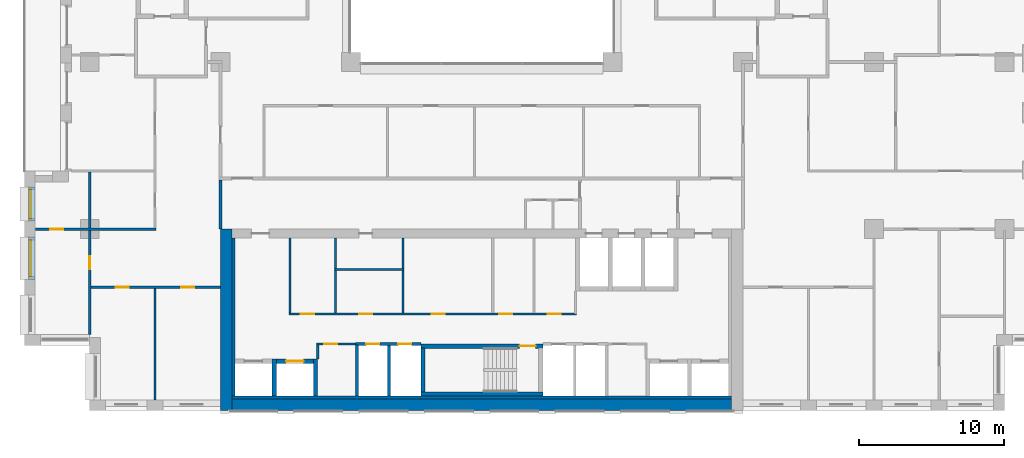
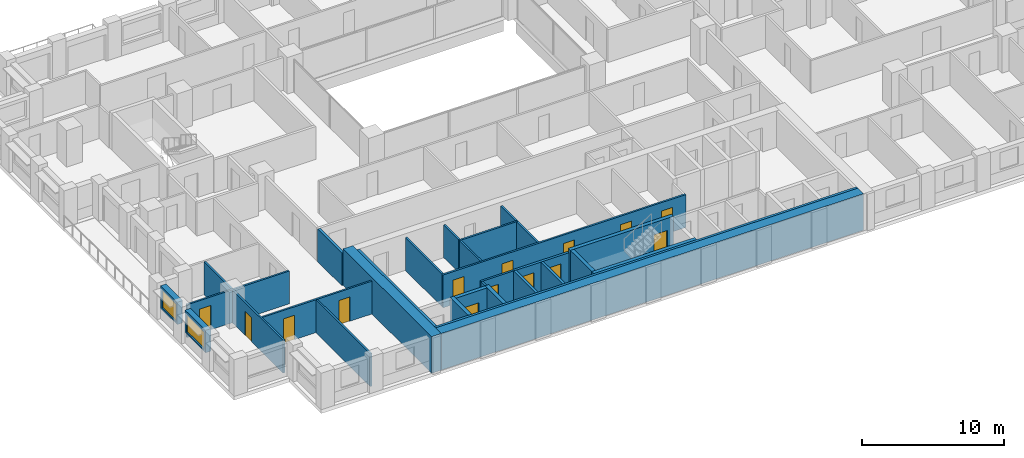
# One storey, part 8 of 16: 30 walls, 14 doors, 2 windows, 16 openings.
"""IFC4 building model written with IfcOpenShell, lengths in metres."""

from ifc_helpers import new_model, si_unit, direction, frame, frame_2d, origin, place, context, subcontext, project, spatial, rectangle, extrude, material, layer, layer_set, type_object, element, fill, save


model = new_model("IFC4")

# Units and contexts
model_context = context("Model", 3, precision=1e-05, world=origin(), true_north=direction((0.0, 1.0)))
body_context = subcontext(model_context, "Body", "Model", "MODEL_VIEW")
ifc_project = project(units=[si_unit("LENGTHUNIT", "METRE"), si_unit("AREAUNIT", "SQUARE_METRE"), si_unit("VOLUMEUNIT", "CUBIC_METRE"), si_unit("PLANEANGLEUNIT", "RADIAN"), si_unit("MASSUNIT", "GRAM", prefix="KILO")], contexts=[model_context])

# Site, building, storey
site_placement = place(None, origin())
site = spatial("IfcSite", under=ifc_project, at=site_placement, CompositionType="ELEMENT")
building_placement = place(site_placement, origin())
building = spatial("IfcBuilding", under=site, at=building_placement, Name="Brigalow Station Residences", CompositionType="ELEMENT")
storey_placement = place(building_placement, frame((0.0, 0.0, 115.050048828125)))
storey = spatial("IfcBuildingStorey", under=building, at=storey_placement, Name="L33", CompositionType="ELEMENT", Elevation=115.050048828125)

# Wall, opening, window
ifc_material_1 = material(Name="Clay brick masonry", Category="masonry")
ifc_layer_1 = layer(ifc_material_1, 0.449951171875)
ifc_layer_set_1 = layer_set([ifc_layer_1], Name="BRICK INFILL WALL 450")
wall_type_1 = type_object("IfcWallType", Name="BRICK INFILL WALL 450", PredefinedType="SOLIDWALL", material=ifc_layer_set_1)
wall_1_placement = place(storey_placement, frame((5.02490234375, 15.39990234375, 0.89990234375), z_axis=(0.0, 0.0, 1.0), x_axis=(0.0, -1.0, 0.0)))
wall_1 = element("IfcWall", 1, at=wall_1_placement, inside=storey, type_object=wall_type_1, Name="L33/ewall/W-L33-47", PredefinedType="SOLIDWALL", context=body_context, shape_type="SweptSolid", body=[
    extrude(rectangle(XDim=2.349853515625, YDim=0.449951171875, at=frame_2d((1.1748046875, 0.0))), origin(), (0.0, 0.0, 1.0), 1.929931640625),
])
opening_1_placement = place(wall_1_placement, frame((0.175048828125, 0.0, 0.14990234375)))
opening_1 = element("IfcOpeningElement", 2, at=opening_1_placement, cuts=wall_1, Name="Opening WT-7", PredefinedType="OPENING", context=body_context, shape_type="SweptSolid", body=[
    extrude(rectangle(XDim=2.0, YDim=1.5, at=frame_2d((1.0, 0.75))), frame((0.0, 0.23486328125, 0.0), z_axis=(0.0, -1.0, 0.0), x_axis=(1.0, 0.0, 0.0)), (0.0, 0.0, 1.0), 0.469970703125),
])
ifc_material_2 = material(Name="Anodised aluminium frame with double glazing", Category="aluminium")
window_type_1 = type_object("IfcWindowType", Name="WINDOW 2000x1500", PartitioningType="SINGLE_PANEL", PredefinedType="WINDOW", material=ifc_material_2)
window_1_placement = place(opening_1_placement, origin())
window_1 = element("IfcWindow", 3, at=window_1_placement, inside=storey, type_object=window_type_1, Name="L33/window/W-L33-47", OverallHeight=1.5, OverallWidth=2.0, PartitioningType="SINGLE_PANEL", PredefinedType="WINDOW", context=body_context, shape_type="SweptSolid", body=[
    extrude(rectangle(XDim=2.0, YDim=1.5, at=frame_2d((1.0, 0.75))), frame((0.0, -0.06494140625, 0.0), z_axis=(0.0, -1.0, 0.0), x_axis=(1.0, 0.0, 0.0)), (0.0, 0.0, 1.0), 0.06005859375),
])
fill(opening_1, window_1)

wall_2_placement = place(storey_placement, frame((5.02490234375, 11.949951171875, 0.89990234375), z_axis=(0.0, 0.0, 1.0), x_axis=(0.0, -1.0, 0.0)))
wall_2 = element("IfcWall", 4, at=wall_2_placement, inside=storey, type_object=wall_type_1, Name="L33/ewall/W-L33-48", PredefinedType="SOLIDWALL", context=body_context, shape_type="SweptSolid", body=[
    extrude(rectangle(XDim=2.89990234375, YDim=0.449951171875, at=frame_2d((1.449951171875, 0.0))), origin(), (0.0, 0.0, 1.0), 1.929931640625),
])
opening_2_placement = place(wall_2_placement, frame((0.199951171875, 0.0, 0.14990234375)))
opening_2 = element("IfcOpeningElement", 5, at=opening_2_placement, cuts=wall_2, Name="Opening WT-5", PredefinedType="OPENING", context=body_context, shape_type="SweptSolid", body=[
    extrude(rectangle(XDim=2.5, YDim=1.5, at=frame_2d((1.25, 0.75))), frame((0.0, 0.23486328125, 0.0), z_axis=(0.0, -1.0, 0.0), x_axis=(1.0, 0.0, 0.0)), (0.0, 0.0, 1.0), 0.469970703125),
])
ifc_material_3 = material(Name="Anodised aluminium frame with double glazing", Category="aluminium")
window_type_2 = type_object("IfcWindowType", Name="WINDOW 2500x1500", PartitioningType="SINGLE_PANEL", PredefinedType="WINDOW", material=ifc_material_3)
window_2_placement = place(opening_2_placement, origin())
window_2 = element("IfcWindow", 6, at=window_2_placement, inside=storey, type_object=window_type_2, Name="L33/window/W-L33-48", OverallHeight=1.5, OverallWidth=2.5, PartitioningType="SINGLE_PANEL", PredefinedType="WINDOW", context=body_context, shape_type="SweptSolid", body=[
    extrude(rectangle(XDim=2.5, YDim=1.5, at=frame_2d((1.25, 0.75))), frame((0.0, -0.06494140625, 0.0), z_axis=(0.0, -1.0, 0.0), x_axis=(1.0, 0.0, 0.0)), (0.0, 0.0, 1.0), 0.06005859375),
])
fill(opening_2, window_2)

# Walls
ifc_material_4 = material(Name="Concrete C65", Category="concrete")
ifc_layer_2 = layer(ifc_material_4, 0.199951171875)
ifc_layer_set_2 = layer_set([ifc_layer_2], Name="CORE SHEAR WALL 200 C65")
wall_type_2 = type_object("IfcWallType", Name="CORE SHEAR WALL 200 C65", PredefinedType="SHEAR", material=ifc_layer_set_2)
wall_3_placement = place(storey_placement, frame((18.89990234375, 1.0, 0.0), z_axis=(0.0, 0.0, 1.0), x_axis=(0.0, 1.0, 0.0)))
element("IfcWall", 7, at=wall_3_placement, inside=storey, type_object=wall_type_2, Name="CORE WALL LIN-W L33", PredefinedType="SHEAR", context=body_context, shape_type="SweptSolid", body=[
    extrude(rectangle(XDim=10.89990234375, YDim=0.199951171875, at=frame_2d((5.449951171875, 0.0))), origin(), (0.0, 0.0, 1.0), 3.14990234375),
])
wall_4_placement = place(storey_placement, frame((18.800048828125, 0.89990234375, 0.0), z_axis=(0.0, 0.0, 1.0), x_axis=(1.0, 0.0, 0.0)))
element("IfcWall", 8, at=wall_4_placement, inside=storey, type_object=wall_type_2, Name="CORE WALL LIN-S L33", PredefinedType="SHEAR", context=body_context, shape_type="SweptSolid", body=[
    extrude(rectangle(XDim=34.39990234375, YDim=0.199951171875, at=frame_2d((17.199951171875, 0.0))), origin(), (0.0, 0.0, 1.0), 3.14990234375),
])

# Wall, opening, door
ifc_material_5 = material(Name="Concrete C65", Category="concrete")
ifc_layer_3 = layer(ifc_material_5, 0.300048828125)
ifc_layer_set_3 = layer_set([ifc_layer_3], Name="CORE SHEAR WALL 300 C65")
wall_type_3 = type_object("IfcWallType", Name="CORE SHEAR WALL 300 C65", PredefinedType="SHEAR", material=ifc_layer_set_3)
wall_5_placement = place(storey_placement, frame((21.85009765625, 3.39990234375, 0.0), z_axis=(0.0, 0.0, 1.0), x_axis=(1.0, 0.0, 0.0)))
wall_5 = element("IfcWall", 9, at=wall_5_placement, inside=storey, type_object=wall_type_3, Name="CORE WALL SH-C2-N L33", PredefinedType="SHEAR", context=body_context, shape_type="SweptSolid", body=[
    extrude(rectangle(XDim=2.5498046875, YDim=0.300048828125, at=frame_2d((1.27490234375, 0.0))), origin(), (0.0, 0.0, 1.0), 3.14990234375),
])
opening_3_placement = place(wall_5_placement, frame((0.675048828125, 0.0, 0.0)))
opening_3 = element("IfcOpeningElement", 10, at=opening_3_placement, cuts=wall_5, Name="Opening LD-LB2", PredefinedType="OPENING", context=body_context, shape_type="SweptSolid", body=[
    extrude(rectangle(XDim=1.199951171875, YDim=2.10009765625, at=frame_2d((0.60009765625, 1.050048828125))), frame((0.0, 0.16015625, 0.0), z_axis=(0.0, -1.0, 0.0), x_axis=(1.0, 0.0, 0.0)), (0.0, 0.0, 1.0), 0.320068359375),
])
ifc_material_6 = material(Name="Stainless steel sliding door leaves", Category="steel")
door_type_1 = type_object("IfcDoorType", Name="LIFT LANDING DOOR 1200 x 2100", OperationType="DOUBLE_DOOR_SLIDING", PredefinedType="DOOR", material=ifc_material_6)
door_1_placement = place(opening_3_placement, origin())
door_1 = element("IfcDoor", 11, at=door_1_placement, inside=storey, type_object=door_type_1, Name="LANDING DOOR LB2", OperationType="DOUBLE_DOOR_SLIDING", OverallHeight=2.10009765625, OverallWidth=1.199951171875, PredefinedType="DOOR", context=body_context, shape_type="SweptSolid", body=[
    extrude(rectangle(XDim=1.199951171875, YDim=2.10009765625, at=frame_2d((0.60009765625, 1.050048828125))), frame((0.0, 0.02490234375, 0.0), z_axis=(0.0, -1.0, 0.0), x_axis=(1.0, 0.0, 0.0)), (0.0, 0.0, 1.0), 0.050048828125),
])
fill(opening_3, door_1)

# Walls
for number, where, z_axis, x_axis, name in (
    (12, (21.699951171875, 1.0, 0.0), (0.0, 0.0, 1.0), (0.0, 1.0, 0.0), "CORE WALL SH-C2-W L33"),
    (13, (24.550048828125, 1.0, 0.0), (0.0, 0.0, 1.0), (0.0, 1.0, 0.0), "CORE WALL SH-C2-E L33"),
):
    element("IfcWall", number, at=place(storey_placement, frame(where, z_axis=z_axis, x_axis=x_axis)), inside=storey, type_object=wall_type_3, Name=name, PredefinedType="SHEAR", context=body_context, shape_type="SweptSolid", body=[
        extrude(rectangle(XDim=2.550048828125, YDim=0.300048828125, at=frame_2d((1.27490234375, 0.0))), origin(), (0.0, 0.0, 1.0), 3.14990234375),
    ])
wall_6_placement = place(storey_placement, frame((31.800048828125, 1.14990234375, 0.0), z_axis=(0.0, 0.0, 1.0), x_axis=(1.0, 0.0, 0.0)))
element("IfcWall", 14, at=wall_6_placement, inside=storey, type_object=wall_type_3, Name="CORE WALL ST-S2-S L33", PredefinedType="SHEAR", context=body_context, shape_type="SweptSolid", body=[
    extrude(rectangle(XDim=8.39990234375, YDim=0.300048828125, at=frame_2d((4.199951171875, 0.0))), origin(), (0.0, 0.0, 1.0), 3.14990234375),
])

# Wall, opening, door
wall_7_placement = place(storey_placement, frame((31.800048828125, 4.449951171875, 0.0), z_axis=(0.0, 0.0, 1.0), x_axis=(1.0, 0.0, 0.0)))
wall_7 = element("IfcWall", 15, at=wall_7_placement, inside=storey, type_object=wall_type_3, Name="CORE WALL ST-S2-N L33", PredefinedType="SHEAR", context=body_context, shape_type="SweptSolid", body=[
    extrude(rectangle(XDim=8.39990234375, YDim=0.300048828125, at=frame_2d((4.199951171875, 0.0))), origin(), (0.0, 0.0, 1.0), 3.14990234375),
])
opening_4_placement = place(wall_7_placement, frame((6.800048828125, 0.0, 0.0)))
opening_4 = element("IfcOpeningElement", 16, at=opening_4_placement, cuts=wall_7, Name="Opening D-5001", PredefinedType="OPENING", context=body_context, shape_type="SweptSolid", body=[
    extrude(rectangle(XDim=1.10009765625, YDim=2.10009765625, at=frame_2d((0.550048828125, 1.050048828125))), frame((0.0, 0.16015625, 0.0), z_axis=(0.0, -1.0, 0.0), x_axis=(1.0, 0.0, 0.0)), (0.0, 0.0, 1.0), 0.320068359375),
])
ifc_material_7 = material(Name="Steel fire door leaf in steel frame", Category="steel")
door_type_2 = type_object("IfcDoorType", Name="STAIR DOOR 1100 x 2100 FD60S", OperationType="SINGLE_SWING_LEFT", PredefinedType="DOOR", material=ifc_material_7)
door_2_placement = place(opening_4_placement, frame((1.10009765625, 0.0, 0.0), z_axis=(0.0, 0.0, 1.0), x_axis=(-1.0, 0.0, 0.0)))
door_2 = element("IfcDoor", 17, at=door_2_placement, inside=storey, type_object=door_type_2, Name="D-5001", OperationType="SINGLE_SWING_LEFT", OverallHeight=2.10009765625, OverallWidth=1.10009765625, PredefinedType="DOOR", context=body_context, shape_type="SweptSolid", body=[
    extrude(rectangle(XDim=1.10009765625, YDim=2.10009765625, at=frame_2d((0.550048828125, 1.050048828125))), frame((0.0, 0.02490234375, 0.0), z_axis=(0.0, -1.0, 0.0), x_axis=(1.0, 0.0, 0.0)), (0.0, 0.0, 1.0), 0.050048828125),
])
fill(opening_4, door_2)

# Walls
wall_8_placement = place(storey_placement, frame((31.949951171875, 1.300048828125, 0.0), z_axis=(0.0, 0.0, 1.0), x_axis=(0.0, 1.0, 0.0)))
element("IfcWall", 18, at=wall_8_placement, inside=storey, type_object=wall_type_3, Name="CORE WALL ST-S2-W L33", PredefinedType="SHEAR", context=body_context, shape_type="SweptSolid", body=[
    extrude(rectangle(XDim=3.0, YDim=0.300048828125, at=frame_2d((1.5, 0.0))), origin(), (0.0, 0.0, 1.0), 3.14990234375),
])
ifc_material_8 = material(Name="Concrete C65", Category="concrete")
ifc_layer_4 = layer(ifc_material_8, 0.800048828125)
ifc_layer_set_4 = layer_set([ifc_layer_4], Name="CORE SHEAR WALL 800 C65")
wall_type_4 = type_object("IfcWallType", Name="CORE SHEAR WALL 800 C65", PredefinedType="SHEAR", material=ifc_layer_set_4)
wall_9_placement = place(storey_placement, frame((18.39990234375, 0.0, 0.0), z_axis=(0.0, 0.0, 1.0), x_axis=(0.0, 1.0, 0.0)))
element("IfcWall", 19, at=wall_9_placement, inside=storey, type_object=wall_type_4, Name="CORE WALL OUT-W L33", PredefinedType="SHEAR", context=body_context, shape_type="SweptSolid", body=[
    extrude(rectangle(XDim=12.5, YDim=0.800048828125, at=frame_2d((6.25, 0.0))), origin(), (0.0, 0.0, 1.0), 3.14990234375),
])
wall_10_placement = place(storey_placement, frame((18.800048828125, 0.39990234375, 0.0), z_axis=(0.0, 0.0, 1.0), x_axis=(1.0, 0.0, 0.0)))
element("IfcWall", 20, at=wall_10_placement, inside=storey, type_object=wall_type_4, Name="CORE WALL OUT-S L33", PredefinedType="SHEAR", context=body_context, shape_type="SweptSolid", body=[
    extrude(rectangle(XDim=34.39990234375, YDim=0.800048828125, at=frame_2d((17.199951171875, 0.0))), origin(), (0.0, 0.0, 1.0), 3.14990234375),
])

# Wall, openings, doors
ifc_material_9 = material(Name="Concrete blockwork", Category="masonry")
ifc_layer_5 = layer(ifc_material_9, 0.199951171875)
ifc_layer_set_5 = layer_set([ifc_layer_5], Name="FIRE RATED CORE PARTITION 200")
wall_type_5 = type_object("IfcWallType", Name="FIRE RATED CORE PARTITION 200", PredefinedType="PARTITIONING", material=ifc_layer_set_5)
wall_11_placement = place(storey_placement, frame((27.300048828125, 4.60009765625, 0.0), z_axis=(0.0, 0.0, 1.0), x_axis=(1.0, 0.0, 0.0)))
wall_11 = element("IfcWall", 21, at=wall_11_placement, inside=storey, type_object=wall_type_5, Name="PW-5017", PredefinedType="PARTITIONING", context=body_context, shape_type="SweptSolid", body=[
    extrude(rectangle(XDim=4.5, YDim=0.199951171875, at=frame_2d((2.25, 0.0))), origin(), (0.0, 0.0, 1.0), 2.829833984375),
])
opening_5_placement = place(wall_11_placement, frame((0.75, 0.0, 0.0)))
opening_5 = element("IfcOpeningElement", 22, at=opening_5_placement, cuts=wall_11, Name="Opening D-5007", PredefinedType="OPENING", context=body_context, shape_type="SweptSolid", body=[
    extrude(rectangle(XDim=0.89990234375, YDim=2.10009765625, at=frame_2d((0.449951171875, 1.050048828125))), frame((0.0, 0.10986328125, 0.0), z_axis=(0.0, -1.0, 0.0), x_axis=(1.0, 0.0, 0.0)), (0.0, 0.0, 1.0), 0.219970703125),
])
opening_6_placement = place(wall_11_placement, frame((2.949951171875, 0.0, 0.0)))
opening_6 = element("IfcOpeningElement", 23, at=opening_6_placement, cuts=wall_11, Name="Opening D-5008", PredefinedType="OPENING", context=body_context, shape_type="SweptSolid", body=[
    extrude(rectangle(XDim=0.89990234375, YDim=2.10009765625, at=frame_2d((0.449951171875, 1.050048828125))), frame((0.0, 0.10986328125, 0.0), z_axis=(0.0, -1.0, 0.0), x_axis=(1.0, 0.0, 0.0)), (0.0, 0.0, 1.0), 0.219970703125),
])
ifc_material_10 = material(Name="Steel fire door leaf in steel frame", Category="steel")
door_type_3 = type_object("IfcDoorType", Name="RISER ACCESS DOOR 900 x 2100 FD120", OperationType="SINGLE_SWING_LEFT", PredefinedType="DOOR", material=ifc_material_10)
door_3_placement = place(opening_5_placement, frame((0.89990234375, 0.0, 0.0), z_axis=(0.0, 0.0, 1.0), x_axis=(-1.0, 0.0, 0.0)))
door_3 = element("IfcDoor", 24, at=door_3_placement, inside=storey, type_object=door_type_3, Name="D-5007", OperationType="SINGLE_SWING_RIGHT", OverallHeight=2.10009765625, OverallWidth=0.89990234375, PredefinedType="DOOR", context=body_context, shape_type="SweptSolid", body=[
    extrude(rectangle(XDim=0.89990234375, YDim=2.10009765625, at=frame_2d((0.449951171875, 1.050048828125))), frame((0.0, 0.02490234375, 0.0), z_axis=(0.0, -1.0, 0.0), x_axis=(1.0, 0.0, 0.0)), (0.0, 0.0, 1.0), 0.050048828125),
])
fill(opening_5, door_3)
door_4_placement = place(opening_6_placement, frame((0.89990234375, 0.0, 0.0), z_axis=(0.0, 0.0, 1.0), x_axis=(-1.0, 0.0, 0.0)))
door_4 = element("IfcDoor", 25, at=door_4_placement, inside=storey, type_object=door_type_3, Name="D-5008", OperationType="SINGLE_SWING_RIGHT", OverallHeight=2.10009765625, OverallWidth=0.89990234375, PredefinedType="DOOR", context=body_context, shape_type="SweptSolid", body=[
    extrude(rectangle(XDim=0.89990234375, YDim=2.10009765625, at=frame_2d((0.449951171875, 1.050048828125))), frame((0.0, 0.02490234375, 0.0), z_axis=(0.0, -1.0, 0.0), x_axis=(1.0, 0.0, 0.0)), (0.0, 0.0, 1.0), 0.050048828125),
])
fill(opening_6, door_4)

# Walls
wall_12_placement = place(storey_placement, frame((27.39990234375, 1.0, 0.0), z_axis=(0.0, 0.0, 1.0), x_axis=(0.0, 1.0, 0.0)))
element("IfcWall", 26, at=wall_12_placement, inside=storey, type_object=wall_type_5, Name="PW-5027", PredefinedType="PARTITIONING", context=body_context, shape_type="SweptSolid", body=[
    extrude(rectangle(XDim=3.52490234375, YDim=0.199951171875, at=frame_2d((1.762451171875, 0.0))), origin(), (0.0, 0.0, 1.0), 2.829833984375),
])
wall_13_placement = place(storey_placement, frame((29.60009765625, 1.0, 0.0), z_axis=(0.0, 0.0, 1.0), x_axis=(0.0, 1.0, 0.0)))
element("IfcWall", 27, at=wall_13_placement, inside=storey, type_object=wall_type_5, Name="PW-5006", PredefinedType="PARTITIONING", context=body_context, shape_type="SweptSolid", body=[
    extrude(rectangle(XDim=3.5, YDim=0.199951171875, at=frame_2d((1.75, 0.0))), origin(), (0.0, 0.0, 1.0), 2.829833984375),
])
wall_14_placement = place(storey_placement, frame((18.0, 12.5, 0.0), z_axis=(0.0, 0.0, 1.0), x_axis=(0.0, 1.0, 0.0)))
element("IfcWall", 28, at=wall_14_placement, inside=storey, type_object=wall_type_5, Name="PW-5013", PredefinedType="PARTITIONING", context=body_context, shape_type="SweptSolid", body=[
    extrude(rectangle(XDim=3.39990234375, YDim=0.199951171875, at=frame_2d((1.699951171875, 0.0))), origin(), (0.0, 0.0, 1.0), 2.829833984375),
])

# Wall, opening, door
ifc_material_11 = material(Name="Plasterboard on steel stud partition", Category="steel")
ifc_layer_6 = layer(ifc_material_11, 0.14990234375)
ifc_layer_set_6 = layer_set([ifc_layer_6], Name="FLAT PARTITION 150")
wall_type_6 = type_object("IfcWallType", Name="FLAT PARTITION 150", PredefinedType="PARTITIONING", material=ifc_layer_set_6)
wall_15_placement = place(storey_placement, frame((5.25, 12.5, 0.0), z_axis=(0.0, 0.0, 1.0), x_axis=(1.0, 0.0, 0.0)))
wall_15 = element("IfcWall", 29, at=wall_15_placement, inside=storey, type_object=wall_type_6, Name="PW-2D10", PredefinedType="PARTITIONING", context=body_context, shape_type="SweptSolid", body=[
    extrude(rectangle(XDim=8.324951171875, YDim=0.14990234375, at=frame_2d((4.16259765625, 0.0))), origin(), (0.0, 0.0, 1.0), 2.829833984375),
])
opening_7_placement = place(wall_15_placement, frame((1.02490234375, 0.0, 0.0)))
opening_7 = element("IfcOpeningElement", 30, at=opening_7_placement, cuts=wall_15, Name="Opening D-2D05", PredefinedType="OPENING", context=body_context, shape_type="SweptSolid", body=[
    extrude(rectangle(XDim=0.89990234375, YDim=2.10009765625, at=frame_2d((0.449951171875, 1.050048828125))), frame((0.0, 0.0849609375, 0.0), z_axis=(0.0, -1.0, 0.0), x_axis=(1.0, 0.0, 0.0)), (0.0, 0.0, 1.0), 0.169921875),
])
ifc_material_12 = material(Name="Solid-core timber door leaf", Category="wood")
door_type_4 = type_object("IfcDoorType", Name="INTERNAL DOOR 900 x 2100", OperationType="SINGLE_SWING_LEFT", PredefinedType="DOOR", material=ifc_material_12)
door_5_placement = place(opening_7_placement, origin())
door_5 = element("IfcDoor", 31, at=door_5_placement, inside=storey, type_object=door_type_4, Name="D-2D05", OperationType="SINGLE_SWING_LEFT", OverallHeight=2.10009765625, OverallWidth=0.89990234375, PredefinedType="DOOR", context=body_context, shape_type="SweptSolid", body=[
    extrude(rectangle(XDim=0.89990234375, YDim=2.10009765625, at=frame_2d((0.449951171875, 1.050048828125))), frame((0.0, 0.02490234375, 0.0), z_axis=(0.0, -1.0, 0.0), x_axis=(1.0, 0.0, 0.0)), (0.0, 0.0, 1.0), 0.050048828125),
])
fill(opening_7, door_5)

# Wall, openings, doors
wall_16_placement = place(storey_placement, frame((9.074951171875, 8.5, 0.0), z_axis=(0.0, 0.0, 1.0), x_axis=(1.0, 0.0, 0.0)))
wall_16 = element("IfcWall", 32, at=wall_16_placement, inside=storey, type_object=wall_type_6, Name="PW-2D14", PredefinedType="PARTITIONING", context=body_context, shape_type="SweptSolid", body=[
    extrude(rectangle(XDim=8.925048828125, YDim=0.14990234375, at=frame_2d((4.46240234375, 0.0))), origin(), (0.0, 0.0, 1.0), 2.829833984375),
])
opening_8_placement = place(wall_16_placement, frame((1.72509765625, 0.0, 0.0)))
opening_8 = element("IfcOpeningElement", 33, at=opening_8_placement, cuts=wall_16, Name="Opening D-2D06", PredefinedType="OPENING", context=body_context, shape_type="SweptSolid", body=[
    extrude(rectangle(XDim=0.89990234375, YDim=2.10009765625, at=frame_2d((0.449951171875, 1.050048828125))), frame((0.0, 0.0849609375, 0.0), z_axis=(0.0, -1.0, 0.0), x_axis=(1.0, 0.0, 0.0)), (0.0, 0.0, 1.0), 0.169921875),
])
opening_9_placement = place(wall_16_placement, frame((6.22509765625, 0.0, 0.0)))
opening_9 = element("IfcOpeningElement", 34, at=opening_9_placement, cuts=wall_16, Name="Opening D-2D07", PredefinedType="OPENING", context=body_context, shape_type="SweptSolid", body=[
    extrude(rectangle(XDim=0.89990234375, YDim=2.10009765625, at=frame_2d((0.449951171875, 1.050048828125))), frame((0.0, 0.0849609375, 0.0), z_axis=(0.0, -1.0, 0.0), x_axis=(1.0, 0.0, 0.0)), (0.0, 0.0, 1.0), 0.169921875),
])
door_6_placement = place(opening_8_placement, frame((0.89990234375, 0.0, 0.0), z_axis=(0.0, 0.0, 1.0), x_axis=(-1.0, 0.0, 0.0)))
door_6 = element("IfcDoor", 35, at=door_6_placement, inside=storey, type_object=door_type_4, Name="D-2D06", OperationType="SINGLE_SWING_LEFT", OverallHeight=2.10009765625, OverallWidth=0.89990234375, PredefinedType="DOOR", context=body_context, shape_type="SweptSolid", body=[
    extrude(rectangle(XDim=0.89990234375, YDim=2.10009765625, at=frame_2d((0.449951171875, 1.050048828125))), frame((0.0, 0.02490234375, 0.0), z_axis=(0.0, -1.0, 0.0), x_axis=(1.0, 0.0, 0.0)), (0.0, 0.0, 1.0), 0.050048828125),
])
fill(opening_8, door_6)
door_7_placement = place(opening_9_placement, frame((0.89990234375, 0.0, 0.0), z_axis=(0.0, 0.0, 1.0), x_axis=(-1.0, 0.0, 0.0)))
door_7 = element("IfcDoor", 36, at=door_7_placement, inside=storey, type_object=door_type_4, Name="D-2D07", OperationType="SINGLE_SWING_RIGHT", OverallHeight=2.10009765625, OverallWidth=0.89990234375, PredefinedType="DOOR", context=body_context, shape_type="SweptSolid", body=[
    extrude(rectangle(XDim=0.89990234375, YDim=2.10009765625, at=frame_2d((0.449951171875, 1.050048828125))), frame((0.0, 0.02490234375, 0.0), z_axis=(0.0, -1.0, 0.0), x_axis=(1.0, 0.0, 0.0)), (0.0, 0.0, 1.0), 0.050048828125),
])
fill(opening_9, door_7)

# Wall, opening, door
wall_17_placement = place(storey_placement, frame((9.0, 5.25, 0.0), z_axis=(0.0, 0.0, 1.0), x_axis=(0.0, 1.0, 0.0)))
wall_17 = element("IfcWall", 37, at=wall_17_placement, inside=storey, type_object=wall_type_6, Name="PW-2D45", PredefinedType="PARTITIONING", context=body_context, shape_type="SweptSolid", body=[
    extrude(rectangle(XDim=7.175048828125, YDim=0.14990234375, at=frame_2d((3.58740234375, 0.0))), origin(), (0.0, 0.0, 1.0), 2.829833984375),
])
opening_10_placement = place(wall_17_placement, frame((4.47509765625, 0.0, 0.0)))
opening_10 = element("IfcOpeningElement", 38, at=opening_10_placement, cuts=wall_17, Name="Opening D-2D04", PredefinedType="OPENING", context=body_context, shape_type="SweptSolid", body=[
    extrude(rectangle(XDim=0.89990234375, YDim=2.10009765625, at=frame_2d((0.449951171875, 1.050048828125))), frame((0.0, 0.0849609375, 0.0), z_axis=(0.0, -1.0, 0.0), x_axis=(1.0, 0.0, 0.0)), (0.0, 0.0, 1.0), 0.169921875),
])
door_8_placement = place(opening_10_placement, origin())
door_8 = element("IfcDoor", 39, at=door_8_placement, inside=storey, type_object=door_type_4, Name="D-2D04", OperationType="SINGLE_SWING_RIGHT", OverallHeight=2.10009765625, OverallWidth=0.89990234375, PredefinedType="DOOR", context=body_context, shape_type="SweptSolid", body=[
    extrude(rectangle(XDim=0.89990234375, YDim=2.10009765625, at=frame_2d((0.449951171875, 1.050048828125))), frame((0.0, 0.02490234375, 0.0), z_axis=(0.0, -1.0, 0.0), x_axis=(1.0, 0.0, 0.0)), (0.0, 0.0, 1.0), 0.050048828125),
])
fill(opening_10, door_8)

# Walls
wall_18_placement = place(storey_placement, frame((9.0, 12.574951171875, 0.0), z_axis=(0.0, 0.0, 1.0), x_axis=(0.0, 1.0, 0.0)))
element("IfcWall", 40, at=wall_18_placement, inside=storey, type_object=wall_type_6, Name="PW-2D46", PredefinedType="PARTITIONING", context=body_context, shape_type="SweptSolid", body=[
    extrude(rectangle(XDim=3.85009765625, YDim=0.14990234375, at=frame_2d((1.925048828125, 0.0))), origin(), (0.0, 0.0, 1.0), 2.829833984375),
])
wall_19_placement = place(storey_placement, frame((13.5, 0.75, 0.0), z_axis=(0.0, 0.0, 1.0), x_axis=(0.0, 1.0, 0.0)))
element("IfcWall", 41, at=wall_19_placement, inside=storey, type_object=wall_type_6, Name="PW-2D47", PredefinedType="PARTITIONING", context=body_context, shape_type="SweptSolid", body=[
    extrude(rectangle(XDim=7.675048828125, YDim=0.14990234375, at=frame_2d((3.83740234375, 0.0))), origin(), (0.0, 0.0, 1.0), 2.829833984375),
])

# Wall, opening, door
ifc_material_13 = material(Name="Plasterboard on steel studs", Category="steel")
ifc_layer_7 = layer(ifc_material_13, 0.14990234375)
ifc_layer_set_7 = layer_set([ifc_layer_7], Name="SERVICE ROOM PARTITION 150")
wall_type_7 = type_object("IfcWallType", Name="SERVICE ROOM PARTITION 150", PredefinedType="PARTITIONING", material=ifc_layer_set_7)
wall_20_placement = place(storey_placement, frame((24.625, 4.60009765625, 0.0), z_axis=(0.0, 0.0, 1.0), x_axis=(1.0, 0.0, 0.0)))
wall_20 = element("IfcWall", 42, at=wall_20_placement, inside=storey, type_object=wall_type_7, Name="PW-5155", PredefinedType="PARTITIONING", context=body_context, shape_type="SweptSolid", body=[
    extrude(rectangle(XDim=2.675048828125, YDim=0.14990234375, at=frame_2d((1.33740234375, 0.0))), origin(), (0.0, 0.0, 1.0), 2.829833984375),
])
opening_11_placement = place(wall_20_placement, frame((0.52490234375, 0.0, 0.0)))
opening_11 = element("IfcOpeningElement", 43, at=opening_11_placement, cuts=wall_20, Name="Opening D-5087", PredefinedType="OPENING", context=body_context, shape_type="SweptSolid", body=[
    extrude(rectangle(XDim=0.89990234375, YDim=2.10009765625, at=frame_2d((0.449951171875, 1.050048828125))), frame((0.0, 0.0849609375, 0.0), z_axis=(0.0, -1.0, 0.0), x_axis=(1.0, 0.0, 0.0)), (0.0, 0.0, 1.0), 0.169921875),
])
ifc_material_14 = material(Name="Steel door leaf in steel frame", Category="steel")
door_type_5 = type_object("IfcDoorType", Name="SERVICE ROOM DOOR 900 x 2100 FD60", OperationType="SINGLE_SWING_LEFT", PredefinedType="DOOR", material=ifc_material_14)
door_9_placement = place(opening_11_placement, frame((0.89990234375, 0.0, 0.0), z_axis=(0.0, 0.0, 1.0), x_axis=(-1.0, 0.0, 0.0)))
door_9 = element("IfcDoor", 44, at=door_9_placement, inside=storey, type_object=door_type_5, Name="D-5087", OperationType="SINGLE_SWING_RIGHT", OverallHeight=2.10009765625, OverallWidth=0.89990234375, PredefinedType="DOOR", context=body_context, shape_type="SweptSolid", body=[
    extrude(rectangle(XDim=0.89990234375, YDim=2.10009765625, at=frame_2d((0.449951171875, 1.050048828125))), frame((0.0, 0.02490234375, 0.0), z_axis=(0.0, -1.0, 0.0), x_axis=(1.0, 0.0, 0.0)), (0.0, 0.0, 1.0), 0.050048828125),
])
fill(opening_11, door_9)

# Wall, openings, doors
wall_21_placement = place(storey_placement, frame((22.72509765625, 6.64990234375, 0.0), z_axis=(0.0, 0.0, 1.0), x_axis=(1.0, 0.0, 0.0)))
wall_21 = element("IfcWall", 45, at=wall_21_placement, inside=storey, type_object=wall_type_7, Name="PW-5195", PredefinedType="PARTITIONING", context=body_context, shape_type="SweptSolid", body=[
    extrude(rectangle(XDim=19.7998046875, YDim=0.14990234375, at=frame_2d((9.89990234375, 0.0))), origin(), (0.0, 0.0, 1.0), 2.829833984375),
])
opening_12_placement = place(wall_21_placement, frame((0.824951171875, 0.0, 0.0)))
opening_12 = element("IfcOpeningElement", 46, at=opening_12_placement, cuts=wall_21, Name="Opening D-5110", PredefinedType="OPENING", context=body_context, shape_type="SweptSolid", body=[
    extrude(rectangle(XDim=0.89990234375, YDim=2.10009765625, at=frame_2d((0.449951171875, 1.050048828125))), frame((0.0, 0.0849609375, 0.0), z_axis=(0.0, -1.0, 0.0), x_axis=(1.0, 0.0, 0.0)), (0.0, 0.0, 1.0), 0.169921875),
])
opening_13_placement = place(wall_21_placement, frame((4.824951171875, 0.0, 0.0)))
opening_13 = element("IfcOpeningElement", 47, at=opening_13_placement, cuts=wall_21, Name="Opening D-5116", PredefinedType="OPENING", context=body_context, shape_type="SweptSolid", body=[
    extrude(rectangle(XDim=0.89990234375, YDim=2.10009765625, at=frame_2d((0.449951171875, 1.050048828125))), frame((0.0, 0.0849609375, 0.0), z_axis=(0.0, -1.0, 0.0), x_axis=(1.0, 0.0, 0.0)), (0.0, 0.0, 1.0), 0.169921875),
])
opening_14_placement = place(wall_21_placement, frame((9.824951171875, 0.0, 0.0)))
opening_14 = element("IfcOpeningElement", 48, at=opening_14_placement, cuts=wall_21, Name="Opening D-5117", PredefinedType="OPENING", context=body_context, shape_type="SweptSolid", body=[
    extrude(rectangle(XDim=0.89990234375, YDim=2.10009765625, at=frame_2d((0.449951171875, 1.050048828125))), frame((0.0, 0.0849609375, 0.0), z_axis=(0.0, -1.0, 0.0), x_axis=(1.0, 0.0, 0.0)), (0.0, 0.0, 1.0), 0.169921875),
])
opening_15_placement = place(wall_21_placement, frame((14.47509765625, 0.0, 0.0)))
opening_15 = element("IfcOpeningElement", 49, at=opening_15_placement, cuts=wall_21, Name="Opening D-5114", PredefinedType="OPENING", context=body_context, shape_type="SweptSolid", body=[
    extrude(rectangle(XDim=0.89990234375, YDim=2.10009765625, at=frame_2d((0.449951171875, 1.050048828125))), frame((0.0, 0.0849609375, 0.0), z_axis=(0.0, -1.0, 0.0), x_axis=(1.0, 0.0, 0.0)), (0.0, 0.0, 1.0), 0.169921875),
])
opening_16_placement = place(wall_21_placement, frame((17.824951171875, 0.0, 0.0)))
opening_16 = element("IfcOpeningElement", 50, at=opening_16_placement, cuts=wall_21, Name="Opening D-5115", PredefinedType="OPENING", context=body_context, shape_type="SweptSolid", body=[
    extrude(rectangle(XDim=0.89990234375, YDim=2.10009765625, at=frame_2d((0.449951171875, 1.050048828125))), frame((0.0, 0.0849609375, 0.0), z_axis=(0.0, -1.0, 0.0), x_axis=(1.0, 0.0, 0.0)), (0.0, 0.0, 1.0), 0.169921875),
])
door_10_placement = place(opening_12_placement, origin())
door_10 = element("IfcDoor", 51, at=door_10_placement, inside=storey, type_object=door_type_5, Name="D-5110", OperationType="SINGLE_SWING_LEFT", OverallHeight=2.10009765625, OverallWidth=0.89990234375, PredefinedType="DOOR", context=body_context, shape_type="SweptSolid", body=[
    extrude(rectangle(XDim=0.89990234375, YDim=2.10009765625, at=frame_2d((0.449951171875, 1.050048828125))), frame((0.0, 0.02490234375, 0.0), z_axis=(0.0, -1.0, 0.0), x_axis=(1.0, 0.0, 0.0)), (0.0, 0.0, 1.0), 0.050048828125),
])
fill(opening_12, door_10)
door_11_placement = place(opening_13_placement, origin())
door_11 = element("IfcDoor", 52, at=door_11_placement, inside=storey, type_object=door_type_5, Name="D-5116", OperationType="SINGLE_SWING_LEFT", OverallHeight=2.10009765625, OverallWidth=0.89990234375, PredefinedType="DOOR", context=body_context, shape_type="SweptSolid", body=[
    extrude(rectangle(XDim=0.89990234375, YDim=2.10009765625, at=frame_2d((0.449951171875, 1.050048828125))), frame((0.0, 0.02490234375, 0.0), z_axis=(0.0, -1.0, 0.0), x_axis=(1.0, 0.0, 0.0)), (0.0, 0.0, 1.0), 0.050048828125),
])
fill(opening_13, door_11)
door_12_placement = place(opening_14_placement, origin())
door_12 = element("IfcDoor", 53, at=door_12_placement, inside=storey, type_object=door_type_5, Name="D-5117", OperationType="SINGLE_SWING_LEFT", OverallHeight=2.10009765625, OverallWidth=0.89990234375, PredefinedType="DOOR", context=body_context, shape_type="SweptSolid", body=[
    extrude(rectangle(XDim=0.89990234375, YDim=2.10009765625, at=frame_2d((0.449951171875, 1.050048828125))), frame((0.0, 0.02490234375, 0.0), z_axis=(0.0, -1.0, 0.0), x_axis=(1.0, 0.0, 0.0)), (0.0, 0.0, 1.0), 0.050048828125),
])
fill(opening_14, door_12)
door_13_placement = place(opening_15_placement, origin())
door_13 = element("IfcDoor", 54, at=door_13_placement, inside=storey, type_object=door_type_5, Name="D-5114", OperationType="SINGLE_SWING_LEFT", OverallHeight=2.10009765625, OverallWidth=0.89990234375, PredefinedType="DOOR", context=body_context, shape_type="SweptSolid", body=[
    extrude(rectangle(XDim=0.89990234375, YDim=2.10009765625, at=frame_2d((0.449951171875, 1.050048828125))), frame((0.0, 0.02490234375, 0.0), z_axis=(0.0, -1.0, 0.0), x_axis=(1.0, 0.0, 0.0)), (0.0, 0.0, 1.0), 0.050048828125),
])
fill(opening_15, door_13)
door_14_placement = place(opening_16_placement, origin())
door_14 = element("IfcDoor", 55, at=door_14_placement, inside=storey, type_object=door_type_5, Name="D-5115", OperationType="SINGLE_SWING_LEFT", OverallHeight=2.10009765625, OverallWidth=0.89990234375, PredefinedType="DOOR", context=body_context, shape_type="SweptSolid", body=[
    extrude(rectangle(XDim=0.89990234375, YDim=2.10009765625, at=frame_2d((0.449951171875, 1.050048828125))), frame((0.0, 0.02490234375, 0.0), z_axis=(0.0, -1.0, 0.0), x_axis=(1.0, 0.0, 0.0)), (0.0, 0.0, 1.0), 0.050048828125),
])
fill(opening_16, door_14)

# Walls
wall_22_placement = place(storey_placement, frame((25.85498046875, 9.72998046875, 0.0), z_axis=(0.0, 0.0, 1.0), x_axis=(1.0, 0.0, 0.0)))
element("IfcWall", 56, at=wall_22_placement, inside=storey, type_object=wall_type_7, Name="PW-5224", PredefinedType="PARTITIONING", context=body_context, shape_type="SweptSolid", body=[
    extrude(rectangle(XDim=4.7900390625, YDim=0.14990234375, at=frame_2d((2.39501953125, 0.0))), origin(), (0.0, 0.0, 1.0), 2.829833984375),
])
wall_23_placement = place(storey_placement, frame((24.699951171875, 3.550048828125, 0.0), z_axis=(0.0, 0.0, 1.0), x_axis=(0.0, 1.0, 0.0)))
element("IfcWall", 57, at=wall_23_placement, inside=storey, type_object=wall_type_7, Name="PW-5157", PredefinedType="PARTITIONING", context=body_context, shape_type="SweptSolid", body=[
    extrude(rectangle(XDim=0.974853515625, YDim=0.14990234375, at=frame_2d((0.4873046875, 0.0))), origin(), (0.0, 0.0, 1.0), 2.829833984375),
])
wall_24_placement = place(storey_placement, frame((22.800048828125, 6.72509765625, 0.0), z_axis=(0.0, 0.0, 1.0), x_axis=(0.0, 1.0, 0.0)))
element("IfcWall", 58, at=wall_24_placement, inside=storey, type_object=wall_type_7, Name="PW-5197", PredefinedType="PARTITIONING", context=body_context, shape_type="SweptSolid", body=[
    extrude(rectangle(XDim=5.1748046875, YDim=0.14990234375, at=frame_2d((2.58740234375, 0.0))), origin(), (0.0, 0.0, 1.0), 2.829833984375),
])
for number, where, z_axis, x_axis, name in (
    (59, (25.929931640625, 6.72509765625, 0.0), (0.0, 0.0, 1.0), (0.0, 1.0, 0.0), "PW-5225"),
    (60, (30.570068359375, 6.72509765625, 0.0), (0.0, 0.0, 1.0), (0.0, 1.0, 0.0), "PW-5226"),
):
    element("IfcWall", number, at=place(storey_placement, frame(where, z_axis=z_axis, x_axis=x_axis)), inside=storey, type_object=wall_type_7, Name=name, PredefinedType="PARTITIONING", context=body_context, shape_type="SweptSolid", body=[
        extrude(rectangle(XDim=2.929931640625, YDim=0.14990234375, at=frame_2d((1.46484375, 0.0))), origin(), (0.0, 0.0, 1.0), 2.829833984375),
    ])
for number, where, z_axis, x_axis, name in (
    (61, (25.929931640625, 9.804931640625, 0.0), (0.0, 0.0, 1.0), (0.0, 1.0, 0.0), "PW-5228"),
    (62, (30.570068359375, 9.804931640625, 0.0), (0.0, 0.0, 1.0), (0.0, 1.0, 0.0), "PW-5229"),
):
    element("IfcWall", number, at=place(storey_placement, frame(where, z_axis=z_axis, x_axis=x_axis)), inside=storey, type_object=wall_type_7, Name=name, PredefinedType="PARTITIONING", context=body_context, shape_type="SweptSolid", body=[
        extrude(rectangle(XDim=2.094970703125, YDim=0.14990234375, at=frame_2d((1.04736328125, 0.0))), origin(), (0.0, 0.0, 1.0), 2.829833984375),
    ])

save(model, "model.ifc")
